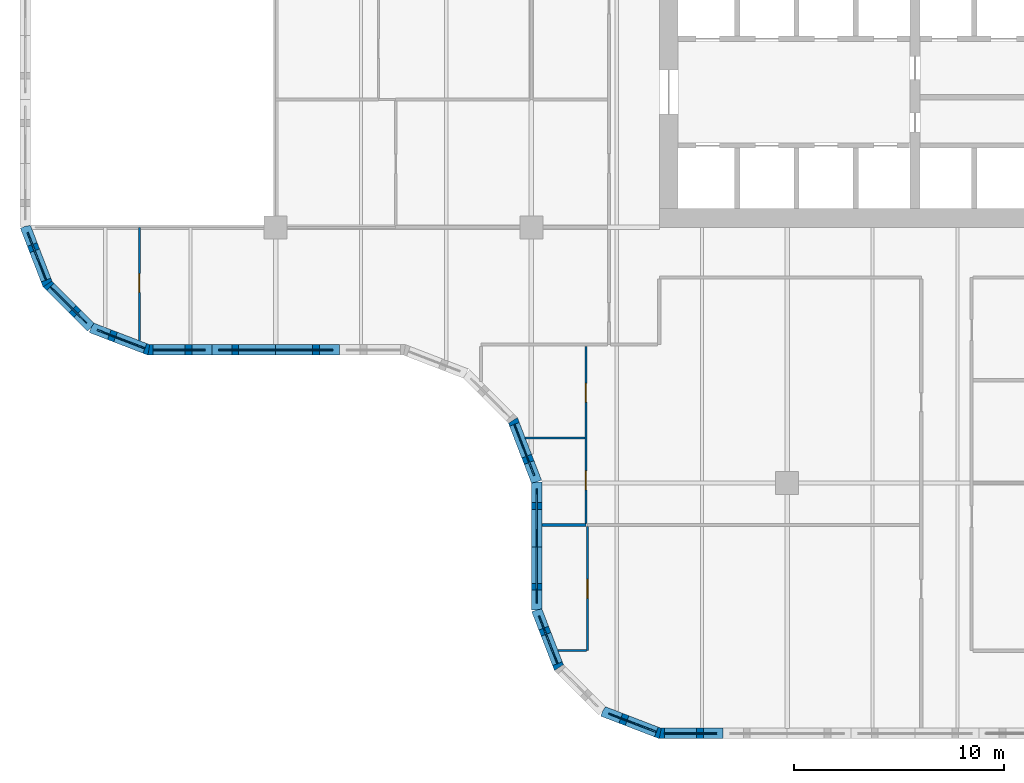
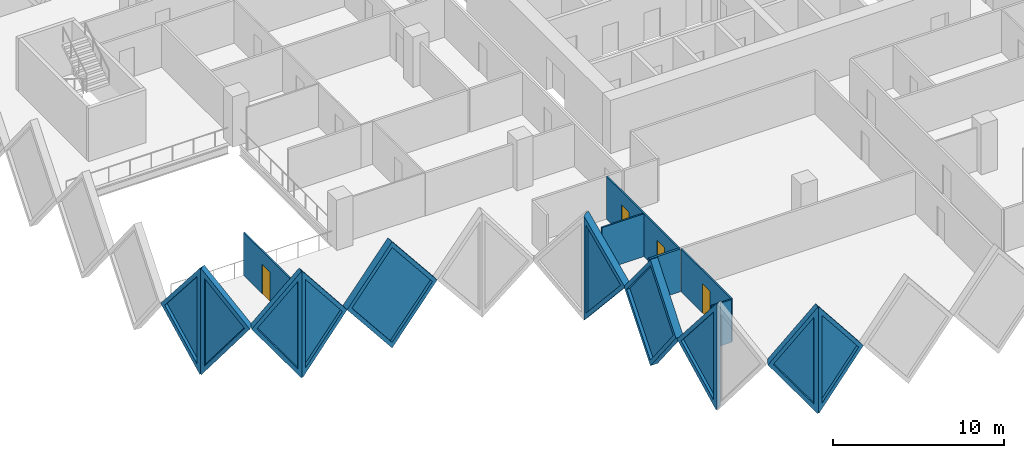
# One storey, part 4 of 19: 16 walls, 10 plates, 4 doors, 14 openings.
"""IFC4 building model written with IfcOpenShell, lengths in metres."""

from ifc_helpers import new_model, si_unit, direction, frame, frame_2d, origin, place, context, subcontext, project, spatial, polyline, rectangle, outline, extrude, faceted_brep, source, transform, mapped, material, layer, layer_set, type_object, element, fill, save


model = new_model("IFC4")

# Units and contexts
model_context = context("Model", 3, precision=1e-05, world=origin(), true_north=direction((0.0, 1.0)))
body_context = subcontext(model_context, "Body", "Model", "MODEL_VIEW")
ifc_project = project(units=[si_unit("LENGTHUNIT", "METRE"), si_unit("AREAUNIT", "SQUARE_METRE"), si_unit("VOLUMEUNIT", "CUBIC_METRE"), si_unit("PLANEANGLEUNIT", "RADIAN"), si_unit("MASSUNIT", "GRAM", prefix="KILO")], contexts=[model_context])

# Site, building, storey
site_placement = place(None, origin())
site = spatial("IfcSite", under=ifc_project, at=site_placement, CompositionType="ELEMENT")
building_placement = place(site_placement, origin())
building = spatial("IfcBuilding", under=site, at=building_placement, Name="Tessera Gate Towers", CompositionType="ELEMENT")
storey_placement = place(building_placement, frame((0.0, 0.0, 33.39990234375)))
storey = spatial("IfcBuildingStorey", under=building, at=storey_placement, Name="L07", CompositionType="ELEMENT", Elevation=33.39990234375)

# Wall, opening, door
ifc_material_1 = material(Name="Glass", Category="glass")
ifc_layer_1 = layer(ifc_material_1, 0.10009765625)
ifc_layer_set_1 = layer_set([ifc_layer_1], Name="GLAZED PARTITION 100")
wall_type_1 = type_object("IfcWallType", Name="GLAZED PARTITION 100", PredefinedType="PARTITIONING", material=ifc_layer_set_1)
wall_1_placement = place(storey_placement, frame((5.699951171875, 18.990234375, 0.0), z_axis=(0.0, 0.0, 1.0), x_axis=(0.0, 1.0, 0.0)))
wall_1 = element("IfcWall", 1, at=wall_1_placement, inside=storey, type_object=wall_type_1, Name="T1-L07-PW-023", PredefinedType="PARTITIONING", context=body_context, shape_type="SweptSolid", body=[
    extrude(rectangle(XDim=5.40966796875, YDim=0.10009765625, at=frame_2d((2.704833984375, 0.0))), origin(), (0.0, 0.0, 1.0), 3.067138671875),
])
shared_shape_1 = source(origin(), body_context, "Body", "SweptSolid", [
    extrude(rectangle(XDim=0.89990234375, YDim=2.10009765625, at=frame_2d((0.449951171875, 1.050048828125))), frame((0.0, 0.06005859375, 0.0), z_axis=(0.0, -1.0, 0.0), x_axis=(1.0, 0.0, 0.0)), (0.0, 0.0, 1.0), 0.1201171875),
])
opening_1_placement = place(wall_1_placement, frame((2.300048828125, 0.0, 0.0)))
opening_1 = element("IfcOpeningElement", 2, at=opening_1_placement, cuts=wall_1, Name="Opening D690-A02-01", PredefinedType="OPENING", context=body_context, shape_type="MappedRepresentation", body=[
    mapped(shared_shape_1, transform((0.0, 0.0, 0.0), scale=1.0)),
])
ifc_material_2 = material(Name="Glass in aluminium frame", Category="aluminium")
door_type_1 = type_object("IfcDoorType", Name="GLAZED DOOR 900 NOT RATED", OperationType="NOTDEFINED", PredefinedType="DOOR", material=ifc_material_2)
shared_shape_2 = source(origin(), body_context, "Body", "SweptSolid", [
    extrude(rectangle(XDim=0.89990234375, YDim=2.10009765625, at=frame_2d((0.449951171875, 1.050048828125))), frame((0.0, 0.02490234375, 0.0), z_axis=(0.0, -1.0, 0.0), x_axis=(1.0, 0.0, 0.0)), (0.0, 0.0, 1.0), 0.050048828125),
])
door_1_placement = place(opening_1_placement, origin())
door_1 = element("IfcDoor", 3, at=door_1_placement, inside=storey, type_object=door_type_1, Name="T1-L07-PD-014", OperationType="SINGLE_SWING_LEFT", OverallHeight=2.10009765625, OverallWidth=0.89990234375, PredefinedType="DOOR", context=body_context, shape_type="MappedRepresentation", body=[
    mapped(shared_shape_2, transform((0.0, 0.0, 0.0), scale=1.0)),
])
fill(opening_1, door_1)

# Wall
ifc_material_3 = material(Name="Gypsum board on steel studs", Category="steel")
ifc_layer_2 = layer(ifc_material_3, 0.10009765625)
ifc_layer_set_2 = layer_set([ifc_layer_2], Name="PARTITION 100")
wall_type_2 = type_object("IfcWallType", Name="PARTITION 100", PredefinedType="PARTITIONING", material=ifc_layer_set_2)
wall_2_placement = place(storey_placement, frame((25.668701171875, 4.199951171875, 0.0), z_axis=(0.0, 0.0, 1.0), x_axis=(1.0, 0.0, 0.0)))
element("IfcWall", 4, at=wall_2_placement, inside=storey, type_object=wall_type_2, Name="T1-L07-PW-003", PredefinedType="PARTITIONING", context=body_context, shape_type="SweptSolid", body=[
    extrude(rectangle(XDim=1.355224609375, YDim=0.10009765625, at=frame_2d((0.677734375, 0.0))), origin(), (0.0, 0.0, 1.0), 3.067138671875),
])

# Wall, opening, door
wall_3_placement = place(storey_placement, frame((27.074951171875, 4.199951171875, 0.0), z_axis=(0.0, 0.0, 1.0), x_axis=(0.0, 1.0, 0.0)))
wall_3 = element("IfcWall", 5, at=wall_3_placement, inside=storey, type_object=wall_type_2, Name="T1-L07-PW-004", PredefinedType="PARTITIONING", context=body_context, shape_type="SweptSolid", body=[
    extrude(rectangle(XDim=5.924072265625, YDim=0.10009765625, at=frame_2d((2.9619140625, 0.0))), origin(), (0.0, 0.0, 1.0), 3.067138671875),
])
opening_2_placement = place(wall_3_placement, frame((2.5, 0.0, 0.0)))
opening_2 = element("IfcOpeningElement", 6, at=opening_2_placement, cuts=wall_3, Name="Opening D190-A02-13", PredefinedType="OPENING", context=body_context, shape_type="MappedRepresentation", body=[
    mapped(shared_shape_1, transform((0.0, 0.0, 0.0), scale=1.0)),
])
ifc_material_4 = material(Name="Timber door leaf in steel frame", Category="steel")
door_type_2 = type_object("IfcDoorType", Name="INTERNAL DOOR 900 NOT RATED", OperationType="NOTDEFINED", PredefinedType="DOOR", material=ifc_material_4)
door_2_placement = place(opening_2_placement, origin())
door_2 = element("IfcDoor", 7, at=door_2_placement, inside=storey, type_object=door_type_2, Name="T1-L07-PD-022", OperationType="SINGLE_SWING_LEFT", OverallHeight=2.10009765625, OverallWidth=0.89990234375, PredefinedType="DOOR", context=body_context, shape_type="MappedRepresentation", body=[
    mapped(shared_shape_2, transform((0.0, 0.0, 0.0), scale=1.0)),
])
fill(opening_2, door_2)

# Wall, openings, doors
wall_4_placement = place(storey_placement, frame((27.0, 10.27587890625, 0.0), z_axis=(0.0, 0.0, 1.0), x_axis=(0.0, 1.0, 0.0)))
wall_4 = element("IfcWall", 8, at=wall_4_placement, inside=storey, type_object=wall_type_2, Name="T1-L07-PW-010", PredefinedType="PARTITIONING", context=body_context, shape_type="SweptSolid", body=[
    extrude(rectangle(XDim=8.4482421875, YDim=0.10009765625, at=frame_2d((4.22412109375, 0.0))), origin(), (0.0, 0.0, 1.0), 3.067138671875),
])
opening_3_placement = place(wall_4_placement, frame((1.60009765625, 0.0, 0.0)))
opening_3 = element("IfcOpeningElement", 9, at=opening_3_placement, cuts=wall_4, Name="Opening D190-A02-02", PredefinedType="OPENING", context=body_context, shape_type="MappedRepresentation", body=[
    mapped(shared_shape_1, transform((0.0, 0.0, 0.0), scale=1.0)),
])
opening_4_placement = place(wall_4_placement, frame((5.778564453125, 0.0, 0.0)))
opening_4 = element("IfcOpeningElement", 10, at=opening_4_placement, cuts=wall_4, Name="Opening D190-A02-06", PredefinedType="OPENING", context=body_context, shape_type="MappedRepresentation", body=[
    mapped(shared_shape_1, transform((0.0, 0.0, 0.0), scale=1.0)),
])
door_3_placement = place(opening_3_placement, origin())
door_3 = element("IfcDoor", 11, at=door_3_placement, inside=storey, type_object=door_type_2, Name="T1-L07-PD-003", OperationType="SINGLE_SWING_LEFT", OverallHeight=2.10009765625, OverallWidth=0.89990234375, PredefinedType="DOOR", context=body_context, shape_type="MappedRepresentation", body=[
    mapped(shared_shape_2, transform((0.0, 0.0, 0.0), scale=1.0)),
])
fill(opening_3, door_3)
door_4_placement = place(opening_4_placement, origin())
door_4 = element("IfcDoor", 12, at=door_4_placement, inside=storey, type_object=door_type_2, Name="T1-L07-PD-007", OperationType="SINGLE_SWING_LEFT", OverallHeight=2.10009765625, OverallWidth=0.89990234375, PredefinedType="DOOR", context=body_context, shape_type="MappedRepresentation", body=[
    mapped(shared_shape_2, transform((0.0, 0.0, 0.0), scale=1.0)),
])
fill(opening_4, door_4)

# Walls
wall_5_placement = place(storey_placement, frame((24.104736328125, 14.35498046875, 0.0), z_axis=(0.0, 0.0, 1.0), x_axis=(1.0, 0.0, 0.0)))
element("IfcWall", 13, at=wall_5_placement, inside=storey, type_object=wall_type_2, Name="T1-L07-PW-013", PredefinedType="PARTITIONING", context=body_context, shape_type="SweptSolid", body=[
    extrude(rectangle(XDim=2.84423828125, YDim=0.10009765625, at=frame_2d((1.422119140625, 0.0))), origin(), (0.0, 0.0, 1.0), 3.067138671875),
])
ifc_material_5 = material(Name="Gypsum board on steel studs, mineral wool", Category="steel")
ifc_layer_3 = layer(ifc_material_5, 0.14990234375)
ifc_layer_set_3 = layer_set([ifc_layer_3], Name="TENANCY WALL 150")
wall_type_3 = type_object("IfcWallType", Name="TENANCY WALL 150", PredefinedType="PARTITIONING", material=ifc_layer_set_3)
wall_6_placement = place(storey_placement, frame((24.89990234375, 10.199951171875, 0.0), z_axis=(0.0, 0.0, 1.0), x_axis=(1.0, 0.0, 0.0)))
element("IfcWall", 14, at=wall_6_placement, inside=storey, type_object=wall_type_3, Name="T1-L07-PW-008", PredefinedType="PARTITIONING", context=body_context, shape_type="SweptSolid", body=[
    extrude(rectangle(XDim=2.10009765625, YDim=0.14990234375, at=frame_2d((1.050048828125, 0.0))), origin(), (0.0, 0.0, 1.0), 3.067138671875),
])

# Wall, opening, plate
ifc_material_6 = material(Name="Precast concrete C60/75 white", Category="concrete")
ifc_layer_4 = layer(ifc_material_6, 0.5)
ifc_layer_set_4 = layer_set([ifc_layer_4], Name="TS3 corner tessera")
wall_type_4 = type_object("IfcWallType", Name="TS3 corner tessera", PredefinedType="SOLIDWALL", material=ifc_layer_set_4)
shared_shape_3 = source(origin(), body_context, "Body", "Brep", [
    faceted_brep([(0.046630859375, -0.25, 0.0), (3.050048828125, -0.25, 3.7998046875), (0.046630859375, -0.25, 7.599853515625), (0.0, -0.25, 7.539794921875), (0.0, -0.25, 0.06005859375), (0.09326171875, 0.25, 7.541015625), (3.050048828125, 0.25, 3.7998046875), (0.09326171875, 0.25, 0.058837890625), (0.046630859375, 0.0, 0.0), (0.046630859375, 0.0, 7.599853515625)], [[[0, 1, 2, 3, 4]], [[5, 6, 7]], [[7, 6, 1, 0, 8]], [[6, 5, 9, 2, 1]], [[3, 2, 9]], [[8, 0, 4]], [[7, 8, 4, 3, 9, 5]]]),
])
wall_7_placement = place(storey_placement, frame((30.5, 0.25, -3.7998046875), z_axis=(0.0, 0.0, 1.0), x_axis=(1.0, 0.0, 0.0)))
wall_7 = element("IfcWall", 15, at=wall_7_placement, inside=storey, type_object=wall_type_4, Name="Precast corner tessera T1 TS3-0121", PredefinedType="SOLIDWALL", context=body_context, shape_type="MappedRepresentation", body=[
    mapped(shared_shape_3, transform((0.0, 0.0, 0.0), scale=1.0)),
])
shared_shape_4 = source(origin(), body_context, "Body", "SweptSolid", [
    extrude(outline(polyline([(0.24658203125, 0.656005859375), (2.7314453125, 3.7998046875), (0.24658203125, 6.943603515625), (0.24658203125, 0.656005859375)])), frame((0.0, 0.260009765625, 0.0), z_axis=(0.0, -1.0, 0.0), x_axis=(1.0, 0.0, 0.0)), (0.0, 0.0, 1.0), 0.52001953125),
])
opening_5_placement = place(wall_7_placement, origin())
opening_5 = element("IfcOpeningElement", 16, at=opening_5_placement, cuts=wall_7, Name="Opening T1-PL2-0094", PredefinedType="OPENING", context=body_context, shape_type="MappedRepresentation", body=[
    mapped(shared_shape_4, transform((0.0, 0.0, 0.0), scale=1.0)),
])
ifc_material_7 = material(Name="Low-e laminated glass", Category="glass")
ifc_layer_5 = layer(ifc_material_7, 0.06005859375)
ifc_layer_set_5 = layer_set([ifc_layer_5], Name="PL2 rhombic pane")
plate_type = type_object("IfcPlateType", Name="PL2 rhombic pane", PredefinedType="SHEET", material=ifc_layer_set_5)
shared_shape_5 = source(origin(), body_context, "Body", "SweptSolid", [
    extrude(outline(polyline([(0.24658203125, 0.656005859375), (2.7314453125, 3.7998046875), (0.24658203125, 6.943603515625), (0.24658203125, 0.656005859375)])), frame((0.0, 0.030029296875, 0.0), z_axis=(0.0, -1.0, 0.0), x_axis=(1.0, 0.0, 0.0)), (0.0, 0.0, 1.0), 0.06005859375),
])
plate_1_placement = place(opening_5_placement, origin())
plate_1 = element("IfcPlate", 17, at=plate_1_placement, inside=storey, type_object=plate_type, Name="Glass pane T1 PL2-0094", PredefinedType="SHEET", context=body_context, shape_type="MappedRepresentation", body=[
    mapped(shared_shape_5, transform((0.0, 0.0, 0.0), scale=1.0)),
])
fill(opening_5, plate_1)

wall_8_placement = place(storey_placement, frame((6.099853515625, 18.550048828125, -3.7998046875), z_axis=(0.0, 0.0, 1.0), x_axis=(1.0, 0.0, 0.0)))
wall_8 = element("IfcWall", 18, at=wall_8_placement, inside=storey, type_object=wall_type_4, Name="Precast corner tessera T1 TS3-0138", PredefinedType="SOLIDWALL", context=body_context, shape_type="MappedRepresentation", body=[
    mapped(shared_shape_3, transform((0.0, 0.0, 0.0), scale=1.0)),
])
opening_6_placement = place(wall_8_placement, origin())
opening_6 = element("IfcOpeningElement", 19, at=opening_6_placement, cuts=wall_8, Name="Opening T1-PL2-0132", PredefinedType="OPENING", context=body_context, shape_type="MappedRepresentation", body=[
    mapped(shared_shape_4, transform((0.0, 0.0, 0.0), scale=1.0)),
])
plate_2_placement = place(opening_6_placement, origin())
plate_2 = element("IfcPlate", 20, at=plate_2_placement, inside=storey, type_object=plate_type, Name="Glass pane T1 PL2-0132", PredefinedType="SHEET", context=body_context, shape_type="MappedRepresentation", body=[
    mapped(shared_shape_5, transform((0.0, 0.0, 0.0), scale=1.0)),
])
fill(opening_6, plate_2)

shared_shape_6 = source(origin(), body_context, "Body", "Brep", [
    faceted_brep([(2.950439453125, -0.25, 0.0), (2.9970703125, -0.25, 0.05908203125), (2.9970703125, -0.25, 7.540771484375), (2.950439453125, -0.25, 7.599853515625), (0.0, -0.25, 3.7998046875), (0.052978515625, 0.25, 3.867919921875), (2.904052734375, 0.25, 7.5400390625), (2.904052734375, 0.25, 0.059814453125), (0.052978515625, 0.25, 3.731689453125), (2.950439453125, 0.00048828125, 0.0), (2.950439453125, 0.00048828125, 7.599853515625), (0.0, 0.0, 3.7998046875)], [[[0, 1, 2, 3, 4]], [[5, 6, 7, 8]], [[1, 0, 9]], [[10, 3, 2]], [[6, 5, 11, 4, 3, 10]], [[8, 7, 9, 0, 4, 11]], [[8, 11, 5]], [[1, 9, 7, 6, 10, 2]]]),
])
wall_9_placement = place(storey_placement, frame((27.793701171875, 1.31201171875, -3.7998046875), z_axis=(0.0, 0.0, 1.0), x_axis=(0.932973525033, -0.359944998003, 0.0)))
wall_9 = element("IfcWall", 21, at=wall_9_placement, inside=storey, type_object=wall_type_4, Name="Precast corner tessera T1 TS3-0122", PredefinedType="SOLIDWALL", context=body_context, shape_type="MappedRepresentation", body=[
    mapped(shared_shape_6, transform((0.0, 0.0, 0.0), scale=1.0)),
])
shared_shape_7 = source(origin(), body_context, "Body", "SweptSolid", [
    extrude(outline(polyline([(2.75048828125, 6.9345703125), (0.31640625, 3.7998046875), (2.75048828125, 0.6650390625), (2.75048828125, 6.9345703125)])), frame((0.0, 0.260009765625, 0.0), z_axis=(0.0, -1.0, 0.0), x_axis=(1.0, 0.0, 0.0)), (0.0, 0.0, 1.0), 0.52001953125),
])
opening_7_placement = place(wall_9_placement, origin())
opening_7 = element("IfcOpeningElement", 22, at=opening_7_placement, cuts=wall_9, Name="Opening T1-PL2-0095", PredefinedType="OPENING", context=body_context, shape_type="MappedRepresentation", body=[
    mapped(shared_shape_7, transform((0.0, 0.0, 0.0), scale=1.0)),
])
shared_shape_8 = source(origin(), body_context, "Body", "SweptSolid", [
    extrude(outline(polyline([(2.75048828125, 6.9345703125), (0.31640625, 3.7998046875), (2.75048828125, 0.6650390625), (2.75048828125, 6.9345703125)])), frame((0.0, 0.030029296875, 0.0), z_axis=(0.0, -1.0, 0.0), x_axis=(1.0, 0.0, 0.0)), (0.0, 0.0, 1.0), 0.06005859375),
])
plate_3_placement = place(opening_7_placement, origin())
plate_3 = element("IfcPlate", 23, at=plate_3_placement, inside=storey, type_object=plate_type, Name="Glass pane T1 PL2-0095", PredefinedType="SHEET", context=body_context, shape_type="MappedRepresentation", body=[
    mapped(shared_shape_8, transform((0.0, 0.0, 0.0), scale=1.0)),
])
fill(opening_7, plate_3)

ifc_material_8 = material(Name="Precast concrete C60/75 white", Category="concrete")
ifc_layer_6 = layer(ifc_material_8, 0.5)
ifc_layer_set_6 = layer_set([ifc_layer_6], Name="TS1 tessera")
wall_type_5 = type_object("IfcWallType", Name="TS1 tessera", PredefinedType="SOLIDWALL", material=ifc_layer_set_6)
shared_shape_9 = source(origin(), body_context, "Body", "SweptSolid", [
    extrude(outline(polyline([(3.050048828125, 0.0), (6.10009765625, 3.7998046875), (3.050048828125, 7.599853515625), (0.0, 3.7998046875), (3.050048828125, 0.0)])), frame((0.0, 0.25, 0.0), z_axis=(0.0, -1.0, 0.0), x_axis=(1.0, 0.0, 0.0)), (0.0, 0.0, 1.0), 0.5),
])
wall_10_placement = place(storey_placement, frame((9.14990234375, 18.550048828125, -3.7998046875), z_axis=(0.0, 0.0, 1.0), x_axis=(1.0, 0.0, 0.0)))
wall_10 = element("IfcWall", 24, at=wall_10_placement, inside=storey, type_object=wall_type_5, Name="Precast tessera T1 TS1-0067", PredefinedType="SOLIDWALL", context=body_context, shape_type="MappedRepresentation", body=[
    mapped(shared_shape_9, transform((0.0, 0.0, 0.0), scale=1.0)),
])
shared_shape_10 = source(origin(), body_context, "Body", "SweptSolid", [
    extrude(outline(polyline([(3.050048828125, 0.3994140625), (5.779541015625, 3.7998046875), (3.050048828125, 7.200439453125), (0.320556640625, 3.7998046875), (3.050048828125, 0.3994140625)])), frame((0.0, 0.260009765625, 0.0), z_axis=(0.0, -1.0, 0.0), x_axis=(1.0, 0.0, 0.0)), (0.0, 0.0, 1.0), 0.52001953125),
])
opening_8_placement = place(wall_10_placement, origin())
opening_8 = element("IfcOpeningElement", 25, at=opening_8_placement, cuts=wall_10, Name="Opening T1-PL2-0133", PredefinedType="OPENING", context=body_context, shape_type="MappedRepresentation", body=[
    mapped(shared_shape_10, transform((0.0, 0.0, 0.0), scale=1.0)),
])
shared_shape_11 = source(origin(), body_context, "Body", "SweptSolid", [
    extrude(outline(polyline([(3.050048828125, 0.3994140625), (5.779541015625, 3.7998046875), (3.050048828125, 7.200439453125), (0.320556640625, 3.7998046875), (3.050048828125, 0.3994140625)])), frame((0.0, 0.030029296875, 0.0), z_axis=(0.0, -1.0, 0.0), x_axis=(1.0, 0.0, 0.0)), (0.0, 0.0, 1.0), 0.06005859375),
])
plate_4_placement = place(opening_8_placement, origin())
plate_4 = element("IfcPlate", 26, at=plate_4_placement, inside=storey, type_object=plate_type, Name="Glass pane T1 PL2-0133", PredefinedType="SHEET", context=body_context, shape_type="MappedRepresentation", body=[
    mapped(shared_shape_11, transform((0.0, 0.0, 0.0), scale=1.0)),
])
fill(opening_8, plate_4)

shared_shape_12 = source(origin(), body_context, "Body", "Brep", [
    faceted_brep([(2.950439453125, -0.25, 0.0), (3.00341796875, -0.25, 0.068359375), (3.00341796875, -0.25, 7.531494140625), (2.950439453125, -0.25, 7.599853515625), (0.0, -0.25, 3.7998046875), (0.046630859375, 0.25, 3.85986328125), (2.897705078125, 0.25, 7.53173828125), (2.897705078125, 0.25, 0.068115234375), (0.046630859375, 0.25, 3.73974609375), (2.950439453125, 0.00048828125, 0.0), (2.950439453125, 0.00048828125, 7.599853515625), (0.0, 0.0, 3.7998046875)], [[[0, 1, 2, 3, 4]], [[5, 6, 7, 8]], [[1, 0, 9]], [[10, 3, 2]], [[6, 5, 11, 4, 3, 10]], [[8, 7, 9, 0, 4, 11]], [[8, 11, 5]], [[1, 9, 7, 6, 10, 2]]]),
])
wall_11_placement = place(storey_placement, frame((0.25, 24.446533203125, -3.7998046875), z_axis=(0.0, 0.0, 1.0), x_axis=(0.35992665181, -0.932980602862, 0.0)))
wall_11 = element("IfcWall", 27, at=wall_11_placement, inside=storey, type_object=wall_type_4, Name="Precast corner tessera T1 TS3-0135", PredefinedType="SOLIDWALL", context=body_context, shape_type="MappedRepresentation", body=[
    mapped(shared_shape_12, transform((0.0, 0.0, 0.0), scale=1.0)),
])
opening_9_placement = place(wall_11_placement, origin())
opening_9 = element("IfcOpeningElement", 28, at=opening_9_placement, cuts=wall_11, Name="Opening T1-PL2-0129", PredefinedType="OPENING", context=body_context, shape_type="MappedRepresentation", body=[
    mapped(shared_shape_7, transform((0.0, 0.0, 0.0), scale=1.0)),
])
plate_5_placement = place(opening_9_placement, origin())
plate_5 = element("IfcPlate", 29, at=plate_5_placement, inside=storey, type_object=plate_type, Name="Glass pane T1 PL2-0129", PredefinedType="SHEET", context=body_context, shape_type="MappedRepresentation", body=[
    mapped(shared_shape_8, transform((0.0, 0.0, 0.0), scale=1.0)),
])
fill(opening_9, plate_5)

shared_shape_13 = source(origin(), body_context, "Body", "Brep", [
    faceted_brep([(2.950439453125, -0.25, 0.0), (2.9970703125, -0.25, 0.05908203125), (2.9970703125, -0.25, 7.540771484375), (2.950439453125, -0.25, 7.599853515625), (0.0, -0.25, 3.7998046875), (0.052978515625, 0.25, 3.867919921875), (2.904052734375, 0.25, 7.5400390625), (2.904052734375, 0.25, 0.059814453125), (0.052978515625, 0.25, 3.731689453125), (2.950439453125, 0.00048828125, 0.0), (2.950439453125, 0.00048828125, 7.599853515625), (0.0, 0.0, 3.7998046875)], [[[0, 1, 2, 3, 4]], [[5, 6, 7, 8]], [[1, 0, 9]], [[10, 3, 2]], [[6, 5, 11, 4, 3, 10]], [[8, 7, 9, 0, 4, 11]], [[8, 11, 5]], [[1, 9, 7, 6, 10, 2]]]),
])
wall_12_placement = place(storey_placement, frame((3.393798828125, 19.61181640625, -3.7998046875), z_axis=(0.0, 0.0, 1.0), x_axis=(0.932990326376, -0.359901446078, 0.0)))
wall_12 = element("IfcWall", 30, at=wall_12_placement, inside=storey, type_object=wall_type_4, Name="Precast corner tessera T1 TS3-0137", PredefinedType="SOLIDWALL", context=body_context, shape_type="MappedRepresentation", body=[
    mapped(shared_shape_13, transform((0.0, 0.0, 0.0), scale=1.0)),
])
opening_10_placement = place(wall_12_placement, origin())
opening_10 = element("IfcOpeningElement", 31, at=opening_10_placement, cuts=wall_12, Name="Opening T1-PL2-0131", PredefinedType="OPENING", context=body_context, shape_type="MappedRepresentation", body=[
    mapped(shared_shape_7, transform((0.0, 0.0, 0.0), scale=1.0)),
])
plate_6_placement = place(opening_10_placement, origin())
plate_6 = element("IfcPlate", 32, at=plate_6_placement, inside=storey, type_object=plate_type, Name="Glass pane T1 PL2-0131", PredefinedType="SHEET", context=body_context, shape_type="MappedRepresentation", body=[
    mapped(shared_shape_8, transform((0.0, 0.0, 0.0), scale=1.0)),
])
fill(opening_10, plate_6)

shared_shape_14 = source(origin(), body_context, "Body", "Brep", [
    faceted_brep([(0.052978515625, -0.25, 0.0), (2.9970703125, -0.25, 3.7998046875), (0.052978515625, -0.25, 7.599853515625), (0.0, -0.25, 7.53173828125), (0.0, -0.25, 0.068115234375), (0.10595703125, 0.25, 7.531494140625), (2.944091796875, 0.25, 3.867919921875), (2.944091796875, 0.25, 3.731689453125), (0.10595703125, 0.25, 0.068359375), (2.9970703125, 0.000244140625, 3.7998046875), (0.052978515625, 0.0, 0.0), (0.052978515625, 0.0, 7.599853515625)], [[[0, 1, 2, 3, 4]], [[5, 6, 7, 8]], [[8, 7, 9, 1, 0, 10]], [[6, 5, 11, 2, 1, 9]], [[3, 2, 11]], [[10, 0, 4]], [[8, 10, 4, 3, 11, 5]], [[9, 7, 6]]]),
])
wall_13_placement = place(storey_placement, frame((1.2744140625, 21.731201171875, -3.7998046875), z_axis=(0.0, 0.0, 1.0), x_axis=(0.707147509625, -0.707066050402, 0.0)))
wall_13 = element("IfcWall", 33, at=wall_13_placement, inside=storey, type_object=wall_type_4, Name="Precast corner tessera T1 TS3-0136", PredefinedType="SOLIDWALL", context=body_context, shape_type="MappedRepresentation", body=[
    mapped(shared_shape_14, transform((0.0, 0.0, 0.0), scale=1.0)),
])
shared_shape_15 = source(origin(), body_context, "Body", "SweptSolid", [
    extrude(outline(polyline([(0.2529296875, 0.666259765625), (2.680908203125, 3.7998046875), (0.2529296875, 6.93359375), (0.2529296875, 0.666259765625)])), frame((0.0, 0.260009765625, 0.0), z_axis=(0.0, -1.0, 0.0), x_axis=(1.0, 0.0, 0.0)), (0.0, 0.0, 1.0), 0.52001953125),
])
opening_11_placement = place(wall_13_placement, origin())
opening_11 = element("IfcOpeningElement", 34, at=opening_11_placement, cuts=wall_13, Name="Opening T1-PL2-0130", PredefinedType="OPENING", context=body_context, shape_type="MappedRepresentation", body=[
    mapped(shared_shape_15, transform((0.0, 0.0, 0.0), scale=1.0)),
])
shared_shape_16 = source(origin(), body_context, "Body", "SweptSolid", [
    extrude(outline(polyline([(0.2529296875, 0.666259765625), (2.680908203125, 3.7998046875), (0.2529296875, 6.93359375), (0.2529296875, 0.666259765625)])), frame((0.0, 0.030029296875, 0.0), z_axis=(0.0, -1.0, 0.0), x_axis=(1.0, 0.0, 0.0)), (0.0, 0.0, 1.0), 0.06005859375),
])
plate_7_placement = place(opening_11_placement, origin())
plate_7 = element("IfcPlate", 35, at=plate_7_placement, inside=storey, type_object=plate_type, Name="Glass pane T1 PL2-0130", PredefinedType="SHEET", context=body_context, shape_type="MappedRepresentation", body=[
    mapped(shared_shape_16, transform((0.0, 0.0, 0.0), scale=1.0)),
])
fill(opening_11, plate_7)

shared_shape_17 = source(origin(), body_context, "Body", "Brep", [
    faceted_brep([(0.10595703125, -0.25, 0.06396484375), (3.156005859375, -0.25, 3.74365234375), (3.156005859375, -0.25, 3.85595703125), (0.10595703125, -0.25, 7.535888671875), (0.0, 0.25, 7.5361328125), (0.052978515625, 0.25, 7.599853515625), (3.202392578125, 0.25, 3.7998046875), (0.052978515625, 0.25, 0.0), (0.0, 0.25, 0.063720703125), (3.202392578125, -0.000244140625, 3.7998046875), (0.052978515625, 0.0, 0.0), (0.052978515625, 0.0, 7.599853515625)], [[[0, 1, 2, 3]], [[4, 5, 6, 7, 8]], [[7, 6, 9, 1, 0, 10]], [[6, 5, 11, 3, 2, 9]], [[5, 4, 11]], [[8, 7, 10]], [[8, 10, 0, 3, 11, 4]], [[1, 9, 2]]]),
])
wall_14_placement = place(storey_placement, frame((23.497314453125, 15.234375, -3.7998046875), z_axis=(0.0, 0.0, 1.0), x_axis=(0.359913782069, -0.932985567668, 0.0)))
wall_14 = element("IfcWall", 36, at=wall_14_placement, inside=storey, type_object=wall_type_4, Name="Precast corner tessera T1 TS3-0142", PredefinedType="SOLIDWALL", context=body_context, shape_type="MappedRepresentation", body=[
    mapped(shared_shape_17, transform((0.0, 0.0, 0.0), scale=1.0)),
])
shared_shape_18 = source(origin(), body_context, "Body", "SweptSolid", [
    extrude(outline(polyline([(0.2529296875, 0.633056640625), (2.877685546875, 3.7998046875), (0.2529296875, 6.966796875), (0.2529296875, 0.633056640625)])), frame((0.0, 0.260009765625, 0.0), z_axis=(0.0, -1.0, 0.0), x_axis=(1.0, 0.0, 0.0)), (0.0, 0.0, 1.0), 0.52001953125),
])
opening_12_placement = place(wall_14_placement, origin())
opening_12 = element("IfcOpeningElement", 37, at=opening_12_placement, cuts=wall_14, Name="Opening T1-PL2-0137", PredefinedType="OPENING", context=body_context, shape_type="MappedRepresentation", body=[
    mapped(shared_shape_18, transform((0.0, 0.0, 0.0), scale=1.0)),
])
shared_shape_19 = source(origin(), body_context, "Body", "SweptSolid", [
    extrude(outline(polyline([(0.2529296875, 0.633056640625), (2.877685546875, 3.7998046875), (0.2529296875, 6.966796875), (0.2529296875, 0.633056640625)])), frame((0.0, 0.030029296875, 0.0), z_axis=(0.0, -1.0, 0.0), x_axis=(1.0, 0.0, 0.0)), (0.0, 0.0, 1.0), 0.06005859375),
])
plate_8_placement = place(opening_12_placement, origin())
plate_8 = element("IfcPlate", 38, at=plate_8_placement, inside=storey, type_object=plate_type, Name="Glass pane T1 PL2-0137", PredefinedType="SHEET", context=body_context, shape_type="MappedRepresentation", body=[
    mapped(shared_shape_19, transform((0.0, 0.0, 0.0), scale=1.0)),
])
fill(opening_12, plate_8)

shared_shape_20 = source(origin(), body_context, "Body", "Brep", [
    faceted_brep([(3.096435546875, -0.25, 0.0), (6.10009765625, -0.25, 3.7998046875), (3.096435546875, -0.25, 7.599853515625), (0.046630859375, -0.25, 3.85693359375), (0.046630859375, -0.25, 3.74267578125), (0.0, 0.25, 3.7998046875), (3.096435546875, 0.25, 7.599853515625), (6.053466796875, 0.25, 3.85888671875), (6.053466796875, 0.25, 3.74072265625), (3.096435546875, 0.25, 0.0), (6.10009765625, -0.00048828125, 3.7998046875), (0.0, 0.0, 3.7998046875)], [[[0, 1, 2, 3, 4]], [[5, 6, 7, 8, 9]], [[9, 8, 10, 1, 0]], [[7, 6, 2, 1, 10]], [[6, 5, 11, 3, 2]], [[5, 9, 0, 4, 11]], [[11, 4, 3]], [[10, 8, 7]]]),
])
wall_15_placement = place(storey_placement, frame((24.64990234375, 12.24658203125, -3.7998046875), z_axis=(0.0, 0.0, 1.0), x_axis=(0.0, -1.0, 0.0)))
wall_15 = element("IfcWall", 39, at=wall_15_placement, inside=storey, type_object=wall_type_5, Name="Precast tessera T1 TS1-0068", PredefinedType="SOLIDWALL", context=body_context, shape_type="MappedRepresentation", body=[
    mapped(shared_shape_20, transform((0.0, 0.0, 0.0), scale=1.0)),
])
shared_shape_21 = source(origin(), body_context, "Body", "SweptSolid", [
    extrude(outline(polyline([(3.093505859375, 0.3994140625), (5.78125, 3.7998046875), (3.093505859375, 7.200439453125), (0.322509765625, 3.7998046875), (3.093505859375, 0.3994140625)])), frame((0.0, 0.260009765625, 0.0), z_axis=(0.0, -1.0, 0.0), x_axis=(1.0, 0.0, 0.0)), (0.0, 0.0, 1.0), 0.52001953125),
])
opening_13_placement = place(wall_15_placement, origin())
opening_13 = element("IfcOpeningElement", 40, at=opening_13_placement, cuts=wall_15, Name="Opening T1-PL2-0138", PredefinedType="OPENING", context=body_context, shape_type="MappedRepresentation", body=[
    mapped(shared_shape_21, transform((0.0, 0.0, 0.0), scale=1.0)),
])
shared_shape_22 = source(origin(), body_context, "Body", "SweptSolid", [
    extrude(outline(polyline([(3.093505859375, 0.3994140625), (5.78125, 3.7998046875), (3.093505859375, 7.200439453125), (0.322509765625, 3.7998046875), (3.093505859375, 0.3994140625)])), frame((0.0, 0.030029296875, 0.0), z_axis=(0.0, -1.0, 0.0), x_axis=(1.0, 0.0, 0.0)), (0.0, 0.0, 1.0), 0.06005859375),
])
plate_9_placement = place(opening_13_placement, origin())
plate_9 = element("IfcPlate", 41, at=plate_9_placement, inside=storey, type_object=plate_type, Name="Glass pane T1 PL2-0138", PredefinedType="SHEET", context=body_context, shape_type="MappedRepresentation", body=[
    mapped(shared_shape_22, transform((0.0, 0.0, 0.0), scale=1.0)),
])
fill(opening_13, plate_9)

shared_shape_23 = source(origin(), body_context, "Body", "Brep", [
    faceted_brep([(2.950439453125, -0.25, 0.0), (3.00341796875, -0.25, 0.068359375), (3.00341796875, -0.25, 7.531494140625), (2.950439453125, -0.25, 7.599853515625), (0.0, -0.25, 3.7998046875), (0.046630859375, 0.25, 3.85986328125), (2.897705078125, 0.25, 7.53173828125), (2.897705078125, 0.25, 0.068115234375), (0.046630859375, 0.25, 3.73974609375), (2.950439453125, 0.00048828125, 0.0), (2.950439453125, 0.00048828125, 7.599853515625), (0.0, 0.0, 3.7998046875)], [[[0, 1, 2, 3, 4]], [[5, 6, 7, 8]], [[1, 0, 9]], [[10, 3, 2]], [[6, 5, 11, 4, 3, 10]], [[8, 7, 9, 0, 4, 11]], [[8, 11, 5]], [[1, 9, 7, 6, 10, 2]]]),
])
wall_16_placement = place(storey_placement, frame((24.64990234375, 6.146484375, -3.7998046875), z_axis=(0.0, 0.0, 1.0), x_axis=(0.359953949349, -0.932970071518, 0.0)))
wall_16 = element("IfcWall", 42, at=wall_16_placement, inside=storey, type_object=wall_type_4, Name="Precast corner tessera T1 TS3-0143", PredefinedType="SOLIDWALL", context=body_context, shape_type="MappedRepresentation", body=[
    mapped(shared_shape_23, transform((0.0, 0.0, 0.0), scale=1.0)),
])
opening_14_placement = place(wall_16_placement, origin())
opening_14 = element("IfcOpeningElement", 43, at=opening_14_placement, cuts=wall_16, Name="Opening T1-PL2-0139", PredefinedType="OPENING", context=body_context, shape_type="MappedRepresentation", body=[
    mapped(shared_shape_7, transform((0.0, 0.0, 0.0), scale=1.0)),
])
plate_10_placement = place(opening_14_placement, origin())
plate_10 = element("IfcPlate", 44, at=plate_10_placement, inside=storey, type_object=plate_type, Name="Glass pane T1 PL2-0139", PredefinedType="SHEET", context=body_context, shape_type="MappedRepresentation", body=[
    mapped(shared_shape_8, transform((0.0, 0.0, 0.0), scale=1.0)),
])
fill(opening_14, plate_10)

save(model, "model.ifc")
